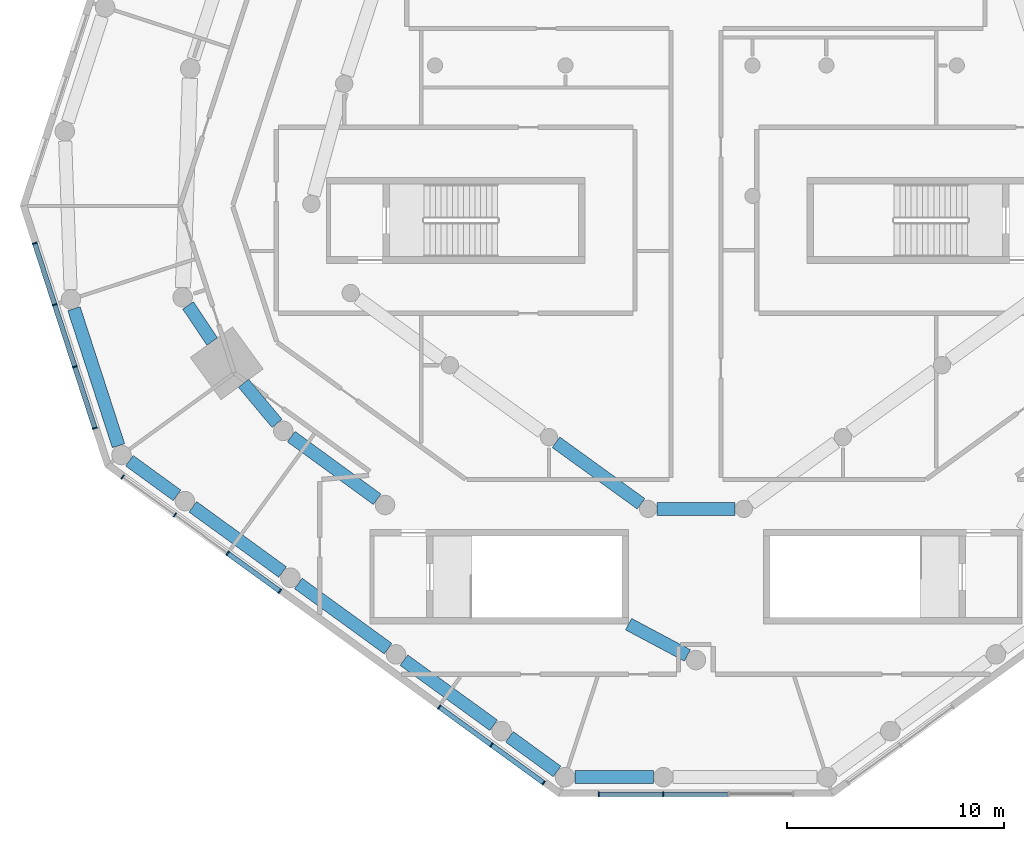
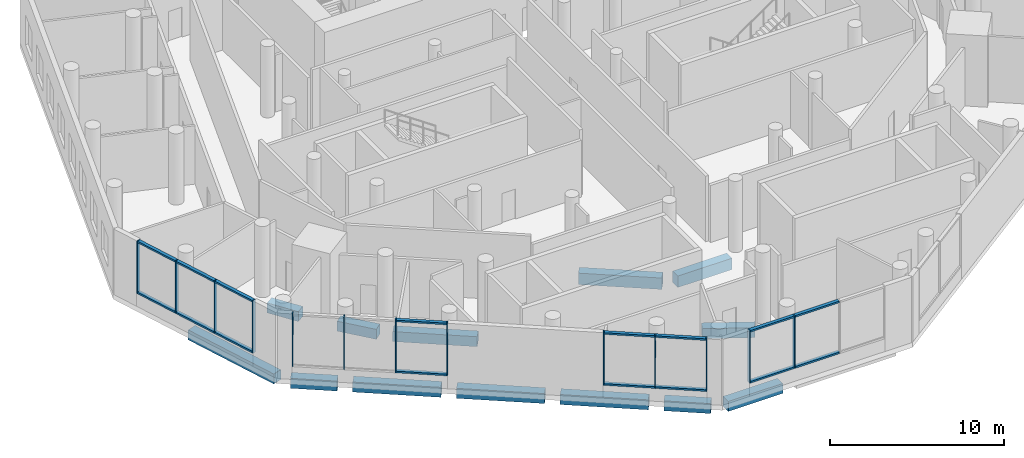
# One storey, part 2 of 15: 29 members, 13 beams, 4 elements without a shape of their own.
"""IFC4 building model written with IfcOpenShell, lengths in metres."""

from ifc_helpers import new_model, si_unit, direction, frame, origin, origin_2d, place, context, subcontext, project, spatial, rectangle, extrude, material, material_profile, profile_set, type_object, element, aggregate, save


model = new_model("IFC4")

# Units and contexts
model_context = context("Model", 3, precision=1e-05, world=origin(), true_north=direction((0.0, 1.0)))
body_context = subcontext(model_context, "Body", "Model", "MODEL_VIEW")
ifc_project = project(units=[si_unit("LENGTHUNIT", "METRE"), si_unit("AREAUNIT", "SQUARE_METRE"), si_unit("VOLUMEUNIT", "CUBIC_METRE"), si_unit("PLANEANGLEUNIT", "RADIAN"), si_unit("MASSUNIT", "GRAM", prefix="KILO")], contexts=[model_context])

# Site, building, storey
site_placement = place(None, origin())
site = spatial("IfcSite", under=ifc_project, at=site_placement, CompositionType="ELEMENT")
building_placement = place(site_placement, origin())
building = spatial("IfcBuilding", under=site, at=building_placement, Name="White Candle Pilgrim Tower", CompositionType="ELEMENT")
storey_placement = place(building_placement, frame((0.0, 0.0, 34.0)))
storey = spatial("IfcBuildingStorey", under=building, at=storey_placement, Name="L05", CompositionType="ELEMENT", Elevation=34.0)

# Curtain wall, members
ifc_material_1 = material(Name="Aluminium and glass", Category="aluminium")
curtain_wall_type = type_object("IfcCurtainWallType", Name="Curtain wall CW3 refectory and meeting glazing", PredefinedType="NOTDEFINED", material=ifc_material_1)
curtain_wall_1_placement = place(storey_placement, origin())
curtain_wall_1 = element("IfcCurtainWall", 1, at=curtain_wall_1_placement, inside=storey, type_object=curtain_wall_type, Name="Curtain wall CW3 L05 W chamfer", PredefinedType="NOTDEFINED")
ifc_material_2 = material(Name="Aluminium", Category="aluminium")
ifc_material_profile_1 = material_profile(ifc_material_2, rectangle(XDim=0.22509765625, YDim=0.06005859375, at=origin_2d()), Name="CW3 mullion 60x225")
ifc_profile_set_1 = profile_set([ifc_material_profile_1], Name="Aluminium")
member_type_1 = type_object("IfcMemberType", Name="CW3 mullion 60x225", PredefinedType="MULLION", material=ifc_profile_set_1)
member_1_placement = place(storey_placement, frame((39.58642578125, 58.818115234375, 0.89990234375), z_axis=(0.0, 0.0, 1.0), x_axis=(0.951056528258, 0.309016957558, 0.0)))
member_1 = element("IfcMember", 2, at=member_1_placement, type_object=member_type_1, Name="CW3 mullion 1", PredefinedType="MULLION", context=body_context, shape_type="SweptSolid", body=[
    extrude(rectangle(XDim=0.22509765625, YDim=0.06005859375, at=origin_2d()), origin(), (0.0, 0.0, 1.0), 3.7001953125),
])
member_2_placement = place(storey_placement, frame((40.504150390625, 55.993408203125, 0.89990234375), z_axis=(0.0, 0.0, 1.0), x_axis=(0.951056528258, 0.309016957558, 0.0)))
member_2 = element("IfcMember", 3, at=member_2_placement, type_object=member_type_1, Name="CW3 mullion 2", PredefinedType="MULLION", context=body_context, shape_type="SweptSolid", body=[
    extrude(rectangle(XDim=0.22509765625, YDim=0.06005859375, at=origin_2d()), origin(), (0.0, 0.0, 1.0), 3.7001953125),
])
member_3_placement = place(storey_placement, frame((41.43115234375, 53.14013671875, 0.89990234375), z_axis=(0.0, 0.0, 1.0), x_axis=(0.951056528258, 0.309016957558, 0.0)))
member_3 = element("IfcMember", 4, at=member_3_placement, type_object=member_type_1, Name="CW3 mullion 3", PredefinedType="MULLION", context=body_context, shape_type="SweptSolid", body=[
    extrude(rectangle(XDim=0.22509765625, YDim=0.06005859375, at=origin_2d()), origin(), (0.0, 0.0, 1.0), 3.7001953125),
])
member_4_placement = place(storey_placement, frame((42.348876953125, 50.315673828125, 0.89990234375), z_axis=(0.0, 0.0, 1.0), x_axis=(0.951056528258, 0.309016957558, 0.0)))
member_4 = element("IfcMember", 5, at=member_4_placement, type_object=member_type_1, Name="CW3 mullion 4", PredefinedType="MULLION", context=body_context, shape_type="SweptSolid", body=[
    extrude(rectangle(XDim=0.22509765625, YDim=0.06005859375, at=origin_2d()), origin(), (0.0, 0.0, 1.0), 3.7001953125),
])

curtain_wall_2_placement = place(storey_placement, origin())
curtain_wall_2 = element("IfcCurtainWall", 6, at=curtain_wall_2_placement, inside=storey, type_object=curtain_wall_type, Name="Curtain wall CW3 L05 SW", PredefinedType="NOTDEFINED")
member_5_placement = place(storey_placement, frame((43.63037109375, 48.06982421875, 0.89990234375), z_axis=(0.0, 0.0, 1.0), x_axis=(0.587785250217, 0.809016995883, 0.0)))
member_5 = element("IfcMember", 7, at=member_5_placement, type_object=member_type_1, Name="CW3 mullion 1", PredefinedType="MULLION", context=body_context, shape_type="SweptSolid", body=[
    extrude(rectangle(XDim=0.22509765625, YDim=0.06005859375, at=origin_2d()), origin(), (0.0, 0.0, 1.0), 3.7001953125),
])
member_6_placement = place(storey_placement, frame((46.033203125, 46.32421875, 0.89990234375), z_axis=(0.0, 0.0, 1.0), x_axis=(0.587785250217, 0.809016995883, 0.0)))
member_6 = element("IfcMember", 8, at=member_6_placement, type_object=member_type_1, Name="CW3 mullion 2", PredefinedType="MULLION", context=body_context, shape_type="SweptSolid", body=[
    extrude(rectangle(XDim=0.22509765625, YDim=0.06005859375, at=origin_2d()), origin(), (0.0, 0.0, 1.0), 3.7001953125),
])
member_7_placement = place(storey_placement, frame((48.460205078125, 44.560791015625, 0.89990234375), z_axis=(0.0, 0.0, 1.0), x_axis=(0.587785250217, 0.809016995883, 0.0)))
member_7 = element("IfcMember", 9, at=member_7_placement, type_object=member_type_1, Name="CW3 mullion 3", PredefinedType="MULLION", context=body_context, shape_type="SweptSolid", body=[
    extrude(rectangle(XDim=0.22509765625, YDim=0.06005859375, at=origin_2d()), origin(), (0.0, 0.0, 1.0), 3.7001953125),
])
member_8_placement = place(storey_placement, frame((50.863037109375, 42.81494140625, 0.89990234375), z_axis=(0.0, 0.0, 1.0), x_axis=(0.587785250217, 0.809016995883, 0.0)))
member_8 = element("IfcMember", 10, at=member_8_placement, type_object=member_type_1, Name="CW3 mullion 4", PredefinedType="MULLION", context=body_context, shape_type="SweptSolid", body=[
    extrude(rectangle(XDim=0.22509765625, YDim=0.06005859375, at=origin_2d()), origin(), (0.0, 0.0, 1.0), 3.7001953125),
])

curtain_wall_3_placement = place(storey_placement, origin())
curtain_wall_3 = element("IfcCurtainWall", 11, at=curtain_wall_3_placement, inside=storey, type_object=curtain_wall_type, Name="Curtain wall CW3 L05 SW", PredefinedType="NOTDEFINED")
member_9_placement = place(storey_placement, frame((58.192626953125, 37.48974609375, 0.89990234375), z_axis=(0.0, 0.0, 1.0), x_axis=(0.587785250203, 0.809016995893, 0.0)))
member_9 = element("IfcMember", 12, at=member_9_placement, type_object=member_type_1, Name="CW3 mullion 1", PredefinedType="MULLION", context=body_context, shape_type="SweptSolid", body=[
    extrude(rectangle(XDim=0.22509765625, YDim=0.06005859375, at=origin_2d()), origin(), (0.0, 0.0, 1.0), 3.7001953125),
])
member_10_placement = place(storey_placement, frame((60.595458984375, 35.743896484375, 0.89990234375), z_axis=(0.0, 0.0, 1.0), x_axis=(0.587785250203, 0.809016995893, 0.0)))
member_10 = element("IfcMember", 13, at=member_10_placement, type_object=member_type_1, Name="CW3 mullion 2", PredefinedType="MULLION", context=body_context, shape_type="SweptSolid", body=[
    extrude(rectangle(XDim=0.22509765625, YDim=0.06005859375, at=origin_2d()), origin(), (0.0, 0.0, 1.0), 3.7001953125),
])
member_11_placement = place(storey_placement, frame((62.998291015625, 33.998291015625, 0.89990234375), z_axis=(0.0, 0.0, 1.0), x_axis=(0.587785250203, 0.809016995893, 0.0)))
member_11 = element("IfcMember", 14, at=member_11_placement, type_object=member_type_1, Name="CW3 mullion 3", PredefinedType="MULLION", context=body_context, shape_type="SweptSolid", body=[
    extrude(rectangle(XDim=0.22509765625, YDim=0.06005859375, at=origin_2d()), origin(), (0.0, 0.0, 1.0), 3.7001953125),
])

curtain_wall_4_placement = place(storey_placement, origin())
curtain_wall_4 = element("IfcCurtainWall", 15, at=curtain_wall_4_placement, inside=storey, type_object=curtain_wall_type, Name="Curtain wall CW3 L05 S chamfer", PredefinedType="NOTDEFINED")
member_12_placement = place(storey_placement, frame((65.530029296875, 33.4736328125, 0.89990234375), z_axis=(0.0, 0.0, 1.0), x_axis=(0.0, 1.0, 0.0)))
member_12 = element("IfcMember", 16, at=member_12_placement, type_object=member_type_1, Name="CW3 mullion 1", PredefinedType="MULLION", context=body_context, shape_type="SweptSolid", body=[
    extrude(rectangle(XDim=0.22509765625, YDim=0.06005859375, at=origin_2d()), origin(), (0.0, 0.0, 1.0), 3.7001953125),
])
member_13_placement = place(storey_placement, frame((68.5, 33.4736328125, 0.89990234375), z_axis=(0.0, 0.0, 1.0), x_axis=(0.0, 1.0, 0.0)))
member_13 = element("IfcMember", 17, at=member_13_placement, type_object=member_type_1, Name="CW3 mullion 2", PredefinedType="MULLION", context=body_context, shape_type="SweptSolid", body=[
    extrude(rectangle(XDim=0.22509765625, YDim=0.06005859375, at=origin_2d()), origin(), (0.0, 0.0, 1.0), 3.7001953125),
])

# Member
ifc_material_profile_2 = material_profile(ifc_material_2, rectangle(XDim=0.22509765625, YDim=0.1201171875, at=origin_2d()), Name="CW3 transom 120x225")
ifc_profile_set_2 = profile_set([ifc_material_profile_2], Name="Aluminium")
member_type_2 = type_object("IfcMemberType", Name="CW3 transom 120x225", PredefinedType="USERDEFINED", material=ifc_profile_set_2)
member_14_placement = place(storey_placement, frame((39.595703125, 58.78955078125, 0.9599609375), z_axis=(0.308995011864, -0.951063658565, 0.0), x_axis=(0.951063658565, 0.308995011864, 0.0)))
member_14 = element("IfcMember", 18, at=member_14_placement, type_object=member_type_2, Name="CW3 transom 1.1", ObjectType="TRANSOM", PredefinedType="USERDEFINED", context=body_context, shape_type="SweptSolid", body=[
    extrude(rectangle(XDim=0.22509765625, YDim=0.1201171875, at=origin_2d()), origin(), (0.0, 0.0, 1.0), 2.909912109375),
])

member_15_placement = place(storey_placement, frame((39.595703125, 58.78955078125, 4.5400390625), z_axis=(0.308995011864, -0.951063658565, 0.0), x_axis=(0.951063658565, 0.308995011864, 0.0)))
member_15 = element("IfcMember", 19, at=member_15_placement, type_object=member_type_2, Name="CW3 transom 1.2", ObjectType="TRANSOM", PredefinedType="USERDEFINED", context=body_context, shape_type="SweptSolid", body=[
    extrude(rectangle(XDim=0.22509765625, YDim=0.1201171875, at=origin_2d()), origin(), (0.0, 0.0, 1.0), 2.909912109375),
])

member_16_placement = place(storey_placement, frame((40.513427734375, 55.96484375, 0.9599609375), z_axis=(0.30899406435, -0.951063966406, 0.0), x_axis=(0.951063966406, 0.30899406435, 0.0)))
member_16 = element("IfcMember", 20, at=member_16_placement, type_object=member_type_2, Name="CW3 transom 2.1", ObjectType="TRANSOM", PredefinedType="USERDEFINED", context=body_context, shape_type="SweptSolid", body=[
    extrude(rectangle(XDim=0.22509765625, YDim=0.1201171875, at=origin_2d()), origin(), (0.0, 0.0, 1.0), 2.93994140625),
])

member_17_placement = place(storey_placement, frame((40.513427734375, 55.96484375, 4.5400390625), z_axis=(0.30899406435, -0.951063966406, 0.0), x_axis=(0.951063966406, 0.30899406435, 0.0)))
member_17 = element("IfcMember", 21, at=member_17_placement, type_object=member_type_2, Name="CW3 transom 2.2", ObjectType="TRANSOM", PredefinedType="USERDEFINED", context=body_context, shape_type="SweptSolid", body=[
    extrude(rectangle(XDim=0.22509765625, YDim=0.1201171875, at=origin_2d()), origin(), (0.0, 0.0, 1.0), 2.93994140625),
])

member_18_placement = place(storey_placement, frame((41.4404296875, 53.11181640625, 0.9599609375), z_axis=(0.308995011864, -0.951063658565, 0.0), x_axis=(0.951063658565, 0.308995011864, 0.0)))
member_18 = element("IfcMember", 22, at=member_18_placement, type_object=member_type_2, Name="CW3 transom 3.1", ObjectType="TRANSOM", PredefinedType="USERDEFINED", context=body_context, shape_type="SweptSolid", body=[
    extrude(rectangle(XDim=0.22509765625, YDim=0.1201171875, at=origin_2d()), origin(), (0.0, 0.0, 1.0), 2.909912109375),
])

member_19_placement = place(storey_placement, frame((41.4404296875, 53.11181640625, 4.5400390625), z_axis=(0.308995011864, -0.951063658565, 0.0), x_axis=(0.951063658565, 0.308995011864, 0.0)))
member_19 = element("IfcMember", 23, at=member_19_placement, type_object=member_type_2, Name="CW3 transom 3.2", ObjectType="TRANSOM", PredefinedType="USERDEFINED", context=body_context, shape_type="SweptSolid", body=[
    extrude(rectangle(XDim=0.22509765625, YDim=0.1201171875, at=origin_2d()), origin(), (0.0, 0.0, 1.0), 2.909912109375),
])

aggregate(curtain_wall_1, [member_1, member_2, member_3, member_4, member_14, member_15, member_16, member_17, member_18, member_19])

member_20_placement = place(storey_placement, frame((48.484375, 44.543212890625, 0.9599609375), z_axis=(0.809018973085, -0.587782528822, 0.0), x_axis=(0.587782528822, 0.809018973085, 0.0)))
member_20 = element("IfcMember", 24, at=member_20_placement, type_object=member_type_2, Name="CW3 transom 3.1", ObjectType="TRANSOM", PredefinedType="USERDEFINED", context=body_context, shape_type="SweptSolid", body=[
    extrude(rectangle(XDim=0.22509765625, YDim=0.1201171875, at=origin_2d()), origin(), (0.0, 0.0, 1.0), 2.909912109375),
])

member_21_placement = place(storey_placement, frame((48.484375, 44.543212890625, 4.5400390625), z_axis=(0.809018973085, -0.587782528822, 0.0), x_axis=(0.587782528822, 0.809018973085, 0.0)))
member_21 = element("IfcMember", 25, at=member_21_placement, type_object=member_type_2, Name="CW3 transom 3.2", ObjectType="TRANSOM", PredefinedType="USERDEFINED", context=body_context, shape_type="SweptSolid", body=[
    extrude(rectangle(XDim=0.22509765625, YDim=0.1201171875, at=origin_2d()), origin(), (0.0, 0.0, 1.0), 2.909912109375),
])

aggregate(curtain_wall_2, [member_5, member_6, member_7, member_8, member_20, member_21])

member_22_placement = place(storey_placement, frame((58.216796875, 37.47216796875, 0.9599609375), z_axis=(0.808979077872, -0.587837436342, 0.0), x_axis=(0.587837436342, 0.808979077872, 0.0)))
member_22 = element("IfcMember", 26, at=member_22_placement, type_object=member_type_2, Name="CW3 transom 1.1", ObjectType="TRANSOM", PredefinedType="USERDEFINED", context=body_context, shape_type="SweptSolid", body=[
    extrude(rectangle(XDim=0.22509765625, YDim=0.1201171875, at=origin_2d()), origin(), (0.0, 0.0, 1.0), 2.91015625),
])

member_23_placement = place(storey_placement, frame((58.216796875, 37.47216796875, 4.5400390625), z_axis=(0.808979077872, -0.587837436342, 0.0), x_axis=(0.587837436342, 0.808979077872, 0.0)))
member_23 = element("IfcMember", 27, at=member_23_placement, type_object=member_type_2, Name="CW3 transom 1.2", ObjectType="TRANSOM", PredefinedType="USERDEFINED", context=body_context, shape_type="SweptSolid", body=[
    extrude(rectangle(XDim=0.22509765625, YDim=0.1201171875, at=origin_2d()), origin(), (0.0, 0.0, 1.0), 2.91015625),
])

member_24_placement = place(storey_placement, frame((60.61962890625, 35.726318359375, 0.9599609375), z_axis=(0.809018973085, -0.587782528822, 0.0), x_axis=(0.587782528822, 0.809018973085, 0.0)))
member_24 = element("IfcMember", 28, at=member_24_placement, type_object=member_type_2, Name="CW3 transom 2.1", ObjectType="TRANSOM", PredefinedType="USERDEFINED", context=body_context, shape_type="SweptSolid", body=[
    extrude(rectangle(XDim=0.22509765625, YDim=0.1201171875, at=origin_2d()), origin(), (0.0, 0.0, 1.0), 2.909912109375),
])

member_25_placement = place(storey_placement, frame((60.61962890625, 35.726318359375, 4.5400390625), z_axis=(0.809018973085, -0.587782528822, 0.0), x_axis=(0.587782528822, 0.809018973085, 0.0)))
member_25 = element("IfcMember", 29, at=member_25_placement, type_object=member_type_2, Name="CW3 transom 2.2", ObjectType="TRANSOM", PredefinedType="USERDEFINED", context=body_context, shape_type="SweptSolid", body=[
    extrude(rectangle(XDim=0.22509765625, YDim=0.1201171875, at=origin_2d()), origin(), (0.0, 0.0, 1.0), 2.909912109375),
])

aggregate(curtain_wall_3, [member_9, member_10, member_11, member_22, member_23, member_24, member_25])

member_26_placement = place(storey_placement, frame((65.56005859375, 33.4736328125, 0.9599609375), z_axis=(1.0, 0.0, 0.0), x_axis=(0.0, 1.0, 0.0)))
member_26 = element("IfcMember", 30, at=member_26_placement, type_object=member_type_2, Name="CW3 transom 1.1", ObjectType="TRANSOM", PredefinedType="USERDEFINED", context=body_context, shape_type="SweptSolid", body=[
    extrude(rectangle(XDim=0.22509765625, YDim=0.1201171875, at=origin_2d()), origin(), (0.0, 0.0, 1.0), 2.909912109375),
])

member_27_placement = place(storey_placement, frame((65.56005859375, 33.4736328125, 4.5400390625), z_axis=(1.0, 0.0, 0.0), x_axis=(0.0, 1.0, 0.0)))
member_27 = element("IfcMember", 31, at=member_27_placement, type_object=member_type_2, Name="CW3 transom 1.2", ObjectType="TRANSOM", PredefinedType="USERDEFINED", context=body_context, shape_type="SweptSolid", body=[
    extrude(rectangle(XDim=0.22509765625, YDim=0.1201171875, at=origin_2d()), origin(), (0.0, 0.0, 1.0), 2.909912109375),
])

member_28_placement = place(storey_placement, frame((68.530029296875, 33.4736328125, 0.9599609375), z_axis=(1.0, 0.0, 0.0), x_axis=(0.0, 1.0, 0.0)))
member_28 = element("IfcMember", 32, at=member_28_placement, type_object=member_type_2, Name="CW3 transom 2.1", ObjectType="TRANSOM", PredefinedType="USERDEFINED", context=body_context, shape_type="SweptSolid", body=[
    extrude(rectangle(XDim=0.22509765625, YDim=0.1201171875, at=origin_2d()), origin(), (0.0, 0.0, 1.0), 2.93994140625),
])

member_29_placement = place(storey_placement, frame((68.530029296875, 33.4736328125, 4.5400390625), z_axis=(1.0, 0.0, 0.0), x_axis=(0.0, 1.0, 0.0)))
member_29 = element("IfcMember", 33, at=member_29_placement, type_object=member_type_2, Name="CW3 transom 2.2", ObjectType="TRANSOM", PredefinedType="USERDEFINED", context=body_context, shape_type="SweptSolid", body=[
    extrude(rectangle(XDim=0.22509765625, YDim=0.1201171875, at=origin_2d()), origin(), (0.0, 0.0, 1.0), 2.93994140625),
])

aggregate(curtain_wall_4, [member_12, member_13, member_26, member_27, member_28, member_29])

# Beams
ifc_material_3 = material(Name="Concrete C50/60", Category="concrete")
ifc_material_profile_3 = material_profile(ifc_material_3, rectangle(XDim=0.60009765625, YDim=0.800048828125, at=origin_2d()), Name="RC-BM 600x800")
ifc_profile_set_3 = profile_set([ifc_material_profile_3], Name="Concrete C50/60")
beam_type_1 = type_object("IfcBeamType", Name="Ring beam RC-BM 600x800 C50/60", PredefinedType="BEAM", material=ifc_profile_set_3)
beam_1_placement = place(storey_placement, frame((63.56396484375, 49.66552734375, -0.75), z_axis=(0.810124276712, -0.586258182273, 0.0), x_axis=(0.586258182273, 0.810124276712, 0.0)))
element("IfcBeam", 34, at=beam_1_placement, inside=storey, type_object=beam_type_1, Name="L05 ring beam R03", PredefinedType="BEAM", context=body_context, shape_type="SweptSolid", body=[
    extrude(rectangle(XDim=0.60009765625, YDim=0.800048828125, at=origin_2d()), origin(), (0.0, 0.0, 1.0), 4.8291015625),
])
beam_2_placement = place(storey_placement, frame((68.199951171875, 46.60009765625, -0.75), z_axis=(1.0, 0.0, 0.0), x_axis=(0.0, 1.0, 0.0)))
element("IfcBeam", 35, at=beam_2_placement, inside=storey, type_object=beam_type_1, Name="L05 ring beam R04", PredefinedType="BEAM", context=body_context, shape_type="SweptSolid", body=[
    extrude(rectangle(XDim=0.60009765625, YDim=0.800048828125, at=origin_2d()), origin(), (0.0, 0.0, 1.0), 3.60009765625),
])
ifc_material_profile_4 = material_profile(ifc_material_3, rectangle(XDim=0.60009765625, YDim=0.699951171875, at=origin_2d()), Name="RC-BM 600x700")
ifc_profile_set_4 = profile_set([ifc_material_profile_4], Name="Concrete C50/60")
beam_type_2 = type_object("IfcBeamType", Name="Spandrel beam RC-BM 600x700 C50/60", PredefinedType="BEAM", material=ifc_profile_set_4)
beam_3_placement = place(storey_placement, frame((46.640380859375, 55.956298828125, -0.699951171875), z_axis=(0.556617573138, -0.830768847077, 0.0), x_axis=(0.830768847077, 0.556617573138, 0.0)))
element("IfcBeam", 36, at=beam_3_placement, inside=storey, type_object=beam_type_2, Name="L05 spandrel beam T01", PredefinedType="BEAM", context=body_context, shape_type="SweptSolid", body=[
    extrude(rectangle(XDim=0.60009765625, YDim=0.699951171875, at=origin_2d()), origin(), (0.0, 0.0, 1.0), 1.99658203125),
])
beam_4_placement = place(storey_placement, frame((49.19140625, 52.377197265625, -0.699951171875), z_axis=(0.641413771477, -0.767195134083, 0.0), x_axis=(0.767195134083, 0.641413771477, 0.0)))
element("IfcBeam", 37, at=beam_4_placement, inside=storey, type_object=beam_type_2, Name="L05 spandrel beam T02", PredefinedType="BEAM", context=body_context, shape_type="SweptSolid", body=[
    extrude(rectangle(XDim=0.60009765625, YDim=0.699951171875, at=origin_2d()), origin(), (0.0, 0.0, 1.0), 2.401123046875),
])
beam_5_placement = place(storey_placement, frame((51.383544921875, 49.925048828125, -0.699951171875), z_axis=(0.808219865497, -0.588880844498, 0.0), x_axis=(0.588880844498, 0.808219865497, 0.0)))
element("IfcBeam", 38, at=beam_5_placement, inside=storey, type_object=beam_type_2, Name="L05 spandrel beam T03", PredefinedType="BEAM", context=body_context, shape_type="SweptSolid", body=[
    extrude(rectangle(XDim=0.60009765625, YDim=0.699951171875, at=origin_2d()), origin(), (0.0, 0.0, 1.0), 4.890869140625),
])
beam_6_placement = place(storey_placement, frame((69.60302734375, 39.861328125, -0.699951171875), z_axis=(-0.882752092562, 0.469839060826, 0.0), x_axis=(-0.469839060826, -0.882752092562, 0.0)))
element("IfcBeam", 39, at=beam_6_placement, inside=storey, type_object=beam_type_2, Name="L05 spandrel beam T04", PredefinedType="BEAM", context=body_context, shape_type="SweptSolid", body=[
    extrude(rectangle(XDim=0.60009765625, YDim=0.699951171875, at=origin_2d()), origin(), (0.0, 0.0, 1.0), 3.062255859375),
])
beam_7_placement = place(storey_placement, frame((41.39208984375, 55.80908203125, -0.699951171875), z_axis=(0.308987736587, -0.951066022229, 0.0), x_axis=(0.951066022229, 0.308987736587, 0.0)))
element("IfcBeam", 40, at=beam_7_placement, inside=storey, type_object=beam_type_2, Name="L05 spandrel beam C01", PredefinedType="BEAM", context=body_context, shape_type="SweptSolid", body=[
    extrude(rectangle(XDim=0.60009765625, YDim=0.699951171875, at=origin_2d()), origin(), (0.0, 0.0, 1.0), 6.62451171875),
])
beam_8_placement = place(storey_placement, frame((43.94189453125, 48.816650390625, -0.699951171875), z_axis=(0.809008975915, -0.587796288598, 0.0), x_axis=(0.587796288598, 0.809008975915, 0.0)))
element("IfcBeam", 41, at=beam_8_placement, inside=storey, type_object=beam_type_2, Name="L05 spandrel beam C02", PredefinedType="BEAM", context=body_context, shape_type="SweptSolid", body=[
    extrude(rectangle(XDim=0.60009765625, YDim=0.699951171875, at=origin_2d()), origin(), (0.0, 0.0, 1.0), 2.707275390625),
])
beam_9_placement = place(storey_placement, frame((46.85986328125, 46.696533203125, -0.699951171875), z_axis=(0.80900095282, -0.587807330965, 0.0), x_axis=(0.587807330965, 0.80900095282, 0.0)))
element("IfcBeam", 42, at=beam_9_placement, inside=storey, type_object=beam_type_2, Name="L05 spandrel beam C03", PredefinedType="BEAM", context=body_context, shape_type="SweptSolid", body=[
    extrude(rectangle(XDim=0.60009765625, YDim=0.699951171875, at=origin_2d()), origin(), (0.0, 0.0, 1.0), 5.100341796875),
])
beam_10_placement = place(storey_placement, frame((51.7138671875, 43.169677734375, -0.699951171875), z_axis=(0.809069240735, -0.587713334625, 0.0), x_axis=(0.587713334625, 0.809069240735, 0.0)))
element("IfcBeam", 43, at=beam_10_placement, inside=storey, type_object=beam_type_2, Name="L05 spandrel beam C04", PredefinedType="BEAM", context=body_context, shape_type="SweptSolid", body=[
    extrude(rectangle(XDim=0.60009765625, YDim=0.699951171875, at=origin_2d()), origin(), (0.0, 0.0, 1.0), 5.099853515625),
])
beam_11_placement = place(storey_placement, frame((56.56787109375, 39.6435546875, -0.699951171875), z_axis=(0.80900095282, -0.587807330965, 0.0), x_axis=(0.587807330965, 0.80900095282, 0.0)))
element("IfcBeam", 44, at=beam_11_placement, inside=storey, type_object=beam_type_2, Name="L05 spandrel beam C05", PredefinedType="BEAM", context=body_context, shape_type="SweptSolid", body=[
    extrude(rectangle(XDim=0.60009765625, YDim=0.699951171875, at=origin_2d()), origin(), (0.0, 0.0, 1.0), 5.100341796875),
])
beam_12_placement = place(storey_placement, frame((61.421875, 36.11669921875, -0.699951171875), z_axis=(0.809008975915, -0.587796288598, 0.0), x_axis=(0.587796288598, 0.809008975915, 0.0)))
element("IfcBeam", 45, at=beam_12_placement, inside=storey, type_object=beam_type_2, Name="L05 spandrel beam C06", PredefinedType="BEAM", context=body_context, shape_type="SweptSolid", body=[
    extrude(rectangle(XDim=0.60009765625, YDim=0.699951171875, at=origin_2d()), origin(), (0.0, 0.0, 1.0), 2.707275390625),
])
beam_13_placement = place(storey_placement, frame((64.426025390625, 34.260986328125, -0.699951171875), z_axis=(1.0, 0.0, 0.0), x_axis=(0.0, 1.0, 0.0)))
element("IfcBeam", 46, at=beam_13_placement, inside=storey, type_object=beam_type_2, Name="L05 spandrel beam C07", PredefinedType="BEAM", context=body_context, shape_type="SweptSolid", body=[
    extrude(rectangle(XDim=0.60009765625, YDim=0.699951171875, at=origin_2d()), origin(), (0.0, 0.0, 1.0), 3.6240234375),
])

save(model, "model.ifc")
